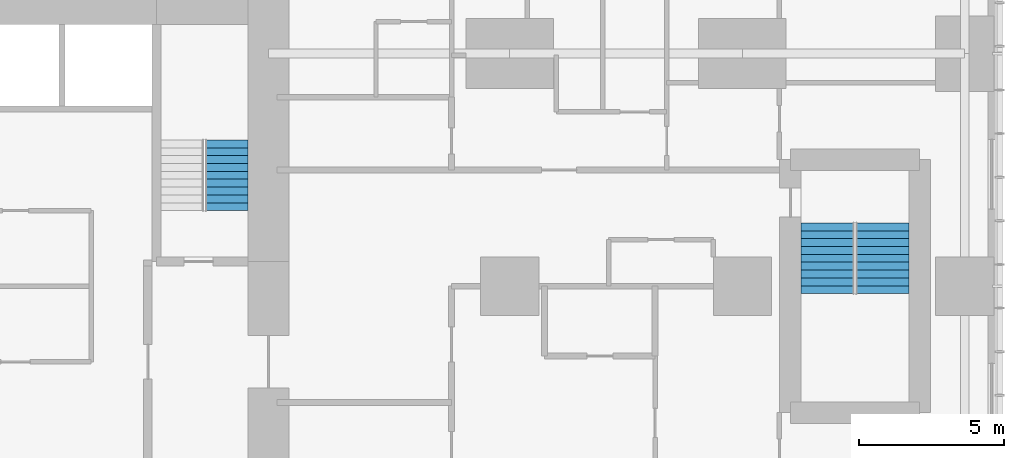
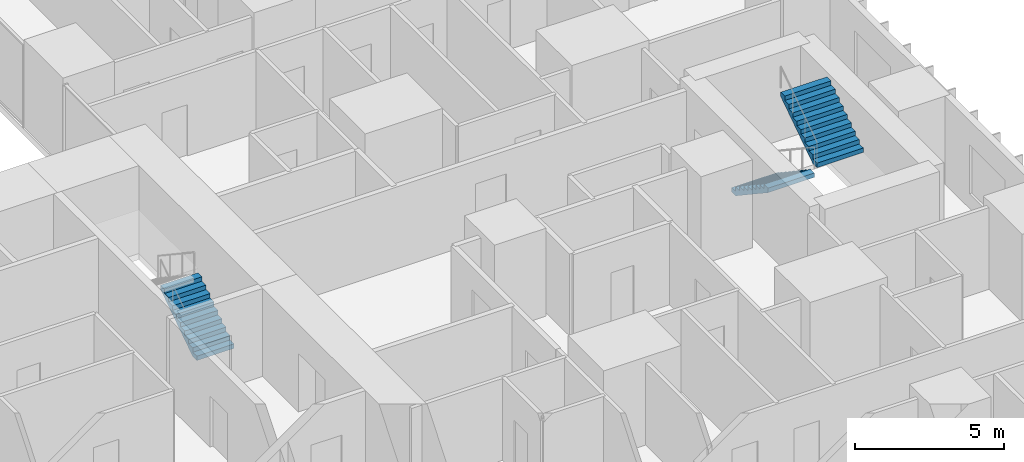
# One storey, part 20 of 21: 3 stair flights, 2 elements without a shape of their own.
"""IFC4 building model written with IfcOpenShell, lengths in metres."""

from ifc_helpers import new_model, si_unit, direction, frame, origin, place, context, subcontext, project, spatial, polyline, outline, extrude, material, type_object, element, aggregate, save


model = new_model("IFC4")

# Units and contexts
model_context = context("Model", 3, precision=1e-05, world=origin(), true_north=direction((0.0, 1.0)))
body_context = subcontext(model_context, "Body", "Model", "MODEL_VIEW")
ifc_project = project(units=[si_unit("LENGTHUNIT", "METRE"), si_unit("AREAUNIT", "SQUARE_METRE"), si_unit("VOLUMEUNIT", "CUBIC_METRE"), si_unit("PLANEANGLEUNIT", "RADIAN"), si_unit("MASSUNIT", "GRAM", prefix="KILO")], contexts=[model_context])

# Site, building, storey
site_placement = place(None, origin())
site = spatial("IfcSite", under=ifc_project, at=site_placement, CompositionType="ELEMENT")
building_placement = place(site_placement, origin())
building = spatial("IfcBuilding", under=site, at=building_placement, Name="Cleftline Residences", CompositionType="ELEMENT")
storey_placement = place(building_placement, frame((0.0, 0.0, 58.39990234375)))
storey = spatial("IfcBuildingStorey", under=building, at=storey_placement, Name="L14", CompositionType="ELEMENT", Elevation=58.39990234375)

# Stair, stair flight
ifc_material_1 = material(Name="Concrete B45, stone treads", Category="masonry")
stair_type_1 = type_object("IfcStairType", Name="STAIR B 1450 WIDE 180 RISER", PredefinedType="HALF_TURN_STAIR", material=ifc_material_1)
stair_1_placement = place(storey_placement, origin())
stair_1 = element("IfcStair", 1, at=stair_1_placement, inside=storey, type_object=stair_type_1, Name="Stair B L14", PredefinedType="HALF_TURN_STAIR")
ifc_material_2 = material(Name="Concrete B45", Category="concrete")
stair_flight_type_1 = type_object("IfcStairFlightType", Name="STAIR B FLIGHT 1450X180", PredefinedType="STRAIGHT", material=ifc_material_2)
stair_flight_1_placement = place(storey_placement, frame((40.27490234375, 26.60009765625, 0.0), z_axis=(0.0, 0.0, 1.0), x_axis=(0.0, 1.0, 0.0)))
stair_flight_1 = element("IfcStairFlight", 2, at=stair_flight_1_placement, type_object=stair_flight_type_1, Name="ST-B flight 1", NumberOfRisers=10, NumberOfTreads=9, PredefinedType="STRAIGHT", RiserHeight=0.18, TreadLength=0.27, context=body_context, shape_type="SweptSolid", body=[
    extrude(outline(polyline([(0.0, 0.0), (0.0, 0.013916015625), (0.0, 0.027587890625), (0.0, 0.04150390625), (0.0, 0.055419921875), (0.0, 0.0693359375), (0.0, 0.0830078125), (0.0, 0.096923828125), (0.0, 0.11083984375), (0.0, 0.12451171875), (0.0, 0.138427734375), (0.0, 0.15234375), (0.0, 0.166259765625), (0.0, 0.179931640625), (0.27001953125, 0.179931640625), (0.27001953125, 0.360107421875), (0.5400390625, 0.360107421875), (0.5400390625, 0.5400390625), (0.81005859375, 0.5400390625), (0.81005859375, 0.719970703125), (1.080078125, 0.719970703125), (1.080078125, 0.89990234375), (1.35009765625, 0.89990234375), (1.35009765625, 1.080078125), (1.6201171875, 1.080078125), (1.6201171875, 1.260009765625), (1.889892578125, 1.260009765625), (1.889892578125, 1.43994140625), (2.159912109375, 1.43994140625), (2.159912109375, 1.6201171875), (2.429931640625, 1.6201171875), (2.429931640625, 1.800048828125), (2.429931640625, 1.772216796875), (2.429931640625, 1.74462890625), (2.429931640625, 1.716796875), (2.429931640625, 1.689208984375), (2.429931640625, 1.661376953125), (2.429931640625, 1.6337890625), (2.429931640625, 1.60595703125), (2.429931640625, 1.578369140625), (2.429931640625, 1.550537109375), (2.429931640625, 1.52294921875), (2.429931640625, 1.495361328125), (2.429931640625, 1.467529296875), (2.429931640625, 1.43994140625), (0.270263671875, 0.0), (0.0, 0.0)])), frame((0.0, 0.72509765625, 0.0), z_axis=(0.0, -1.0, 0.0), x_axis=(1.0, 0.0, 0.0)), (0.0, 0.0, 1.0), 1.449951171875),
])
aggregate(stair_1, [stair_flight_1])

# Stair, stair flights
ifc_material_3 = material(Name="Concrete B45, stone treads", Category="masonry")
stair_type_2 = type_object("IfcStairType", Name="STAIR E 1800 WIDE 180 RISER", PredefinedType="HALF_TURN_STAIR", material=ifc_material_3)
stair_2_placement = place(storey_placement, origin())
stair_2 = element("IfcStair", 3, at=stair_2_placement, inside=storey, type_object=stair_type_2, Name="Stair E L14", PredefinedType="HALF_TURN_STAIR")
ifc_material_4 = material(Name="Concrete B45", Category="concrete")
stair_flight_type_2 = type_object("IfcStairFlightType", Name="STAIR E FLIGHT 1800X180", PredefinedType="STRAIGHT", material=ifc_material_4)
stair_flight_2_placement = place(storey_placement, frame((60.925048828125, 26.175048828125, 0.0), z_axis=(0.0, 0.0, 1.0), x_axis=(0.0, -1.0, 0.0)))
stair_flight_2 = element("IfcStairFlight", 4, at=stair_flight_2_placement, type_object=stair_flight_type_2, Name="ST-E flight 1", NumberOfRisers=10, NumberOfTreads=9, PredefinedType="STRAIGHT", RiserHeight=0.18, TreadLength=0.27, context=body_context, shape_type="SweptSolid", body=[
    extrude(outline(polyline([(0.0, 0.0), (0.0, 0.013916015625), (0.0, 0.027587890625), (0.0, 0.04150390625), (0.0, 0.055419921875), (0.0, 0.0693359375), (0.0, 0.0830078125), (0.0, 0.096923828125), (0.0, 0.11083984375), (0.0, 0.12451171875), (0.0, 0.138427734375), (0.0, 0.15234375), (0.0, 0.166259765625), (0.0, 0.179931640625), (0.27001953125, 0.179931640625), (0.27001953125, 0.360107421875), (0.5400390625, 0.360107421875), (0.5400390625, 0.5400390625), (0.81005859375, 0.5400390625), (0.81005859375, 0.719970703125), (1.080078125, 0.719970703125), (1.080078125, 0.89990234375), (1.35009765625, 0.89990234375), (1.35009765625, 1.080078125), (1.6201171875, 1.080078125), (1.6201171875, 1.260009765625), (1.889892578125, 1.260009765625), (1.889892578125, 1.43994140625), (2.159912109375, 1.43994140625), (2.159912109375, 1.6201171875), (2.429931640625, 1.6201171875), (2.429931640625, 1.800048828125), (2.429931640625, 1.772216796875), (2.429931640625, 1.74462890625), (2.429931640625, 1.716796875), (2.429931640625, 1.689208984375), (2.429931640625, 1.661376953125), (2.429931640625, 1.6337890625), (2.429931640625, 1.60595703125), (2.429931640625, 1.578369140625), (2.429931640625, 1.550537109375), (2.429931640625, 1.52294921875), (2.429931640625, 1.495361328125), (2.429931640625, 1.467529296875), (2.429931640625, 1.43994140625), (0.270263671875, 0.0), (0.0, 0.0)])), frame((0.0, 0.89990234375, 0.0), z_axis=(0.0, -1.0, 0.0), x_axis=(1.0, 0.0, 0.0)), (0.0, 0.0, 1.0), 1.800048828125),
])
stair_flight_3_placement = place(storey_placement, frame((62.824951171875, 23.7451171875, 1.800048828125), z_axis=(0.0, 0.0, 1.0), x_axis=(0.0, 1.0, 0.0)))
stair_flight_3 = element("IfcStairFlight", 5, at=stair_flight_3_placement, type_object=stair_flight_type_2, Name="ST-E flight 2", NumberOfRisers=10, NumberOfTreads=9, PredefinedType="STRAIGHT", RiserHeight=0.18, TreadLength=0.27, context=body_context, shape_type="SweptSolid", body=[
    extrude(outline(polyline([(0.0, 0.0), (0.0, 0.013916015625), (0.0, 0.027587890625), (0.0, 0.04150390625), (0.0, 0.055419921875), (0.0, 0.0693359375), (0.0, 0.0830078125), (0.0, 0.096923828125), (0.0, 0.11083984375), (0.0, 0.12451171875), (0.0, 0.138427734375), (0.0, 0.15234375), (0.0, 0.166259765625), (0.0, 0.179931640625), (0.27001953125, 0.179931640625), (0.27001953125, 0.360107421875), (0.5400390625, 0.360107421875), (0.5400390625, 0.5400390625), (0.81005859375, 0.5400390625), (0.81005859375, 0.719970703125), (1.080078125, 0.719970703125), (1.080078125, 0.89990234375), (1.35009765625, 0.89990234375), (1.35009765625, 1.080078125), (1.6201171875, 1.080078125), (1.6201171875, 1.260009765625), (1.889892578125, 1.260009765625), (1.889892578125, 1.43994140625), (2.159912109375, 1.43994140625), (2.159912109375, 1.6201171875), (2.429931640625, 1.6201171875), (2.429931640625, 1.800048828125), (2.429931640625, 1.772216796875), (2.429931640625, 1.74462890625), (2.429931640625, 1.716796875), (2.429931640625, 1.689208984375), (2.429931640625, 1.661376953125), (2.429931640625, 1.6337890625), (2.429931640625, 1.60595703125), (2.429931640625, 1.578369140625), (2.429931640625, 1.550537109375), (2.429931640625, 1.52294921875), (2.429931640625, 1.495361328125), (2.429931640625, 1.467529296875), (2.429931640625, 1.43994140625), (0.270263671875, 0.0), (0.0, 0.0)])), frame((0.0, 0.89990234375, 0.0), z_axis=(0.0, -1.0, 0.0), x_axis=(1.0, 0.0, 0.0)), (0.0, 0.0, 1.0), 1.800048828125),
])
aggregate(stair_2, [stair_flight_2, stair_flight_3])

save(model, "model.ifc")
